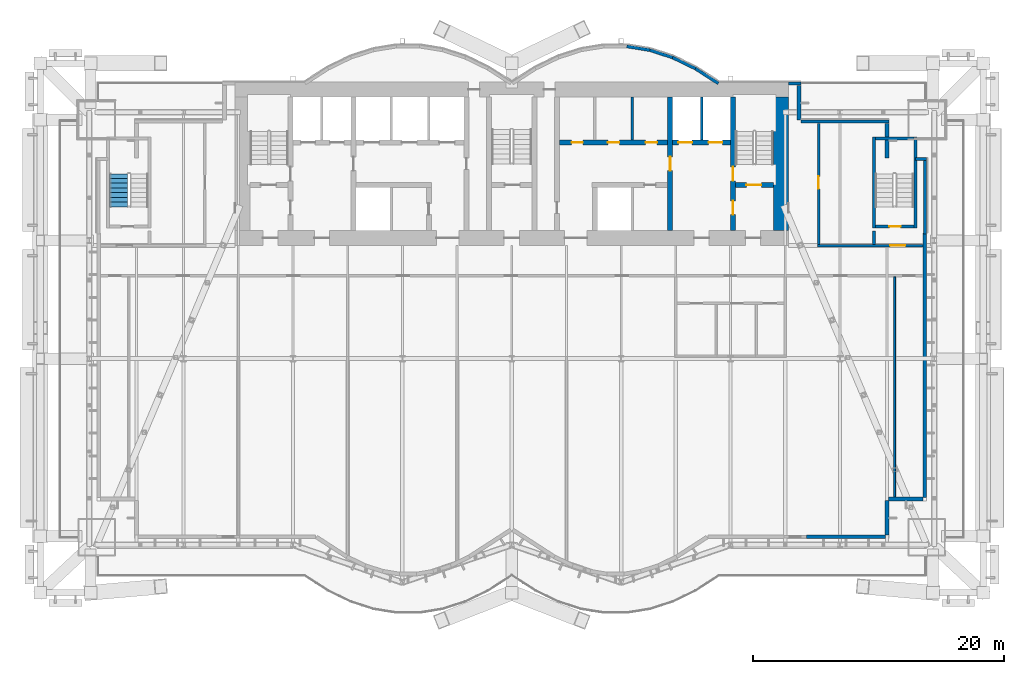
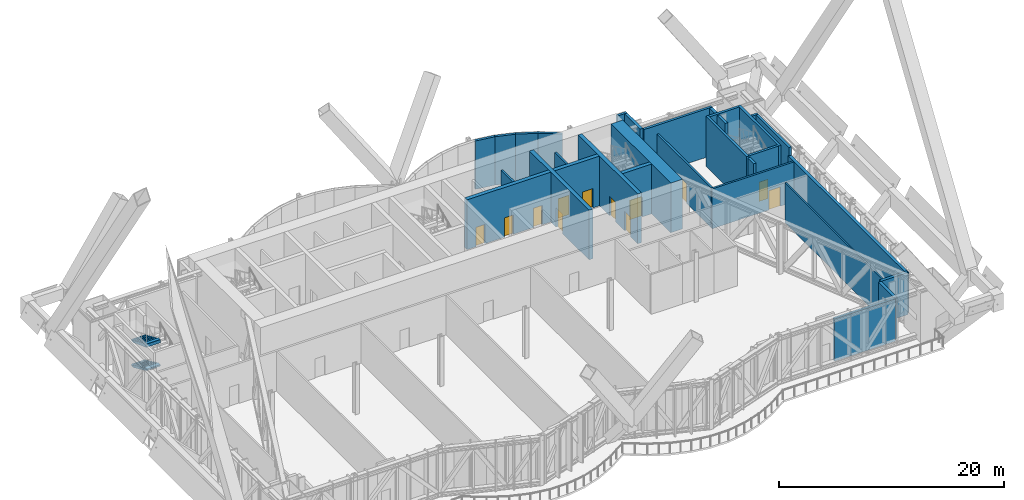
# One storey, part 28 of 32: 29 walls, 12 doors, 2 stair flights, 12 openings, 1 element without a shape of its own.
"""IFC4 building model written with IfcOpenShell, lengths in metres."""

import ifcopenshell
import ifcopenshell.guid

model = None  # the IFC model being written
_history = None  # IfcOwnerHistory: only IFC2X3 demands one
_inside = {}  # id of a spatial element -> (the spatial element, [elements in it])
_under = {}  # id of a project, library or spatial element -> (it, [spatial elements below it])
_declared = {}  # id of a project -> (the project, [libraries it declares])
_typed = {}  # id of a type object -> (the type object, [elements of that type])
_made_of = {}  # id of a material, layer set ... -> (it, [elements and type objects made of it])


def new_model(schema):
    """Start an empty IFC model of exactly this schema.

    Asked for "IFC4X3", IfcOpenShell would pick the latest addendum, in which some entities
    have other attributes; the version numbers below select the first issue.
    IFC2X3 requires an IfcOwnerHistory on every rooted entity: one is made here for all.
    """
    global model, _history
    if schema == "IFC4X3":
        model = ifcopenshell.file(schema_version=(4, 3, 0, 0))
    else:
        model = ifcopenshell.file(schema=schema)
    _inside.clear()
    _under.clear()
    _declared.clear()
    _typed.clear()
    _made_of.clear()
    _history = None
    if model.schema == "IFC2X3":
        org = make("IfcOrganization", Name="unknown")
        user = make(
            "IfcPersonAndOrganization",
            ThePerson=make("IfcPerson", FamilyName="unknown"),
            TheOrganization=org,
        )
        app = make(
            "IfcApplication",
            ApplicationDeveloper=org,
            Version="unknown",
            ApplicationFullName="unknown",
            ApplicationIdentifier="unknown",
        )
        _history = make(
            "IfcOwnerHistory",
            OwningUser=user,
            OwningApplication=app,
            ChangeAction="ADDED",
            CreationDate=0,
        )
    return model


def make(cls, **values):
    """One entity of the class cls with the attributes given. An attribute that is None is left unset."""
    return model.create_entity(
        cls, **{name: value for name, value in values.items() if value is not None}
    )


def rooted(cls, **values):
    """An entity with a GlobalId (a new one), such as an element, a storey or a relation."""
    return make(cls, GlobalId=ifcopenshell.guid.new(), OwnerHistory=_history, **values)


def si_unit(unit_type, name, prefix=None):
    """IfcSIUnit, for example si_unit("LENGTHUNIT", "METRE", prefix="MILLI")."""
    return make("IfcSIUnit", UnitType=unit_type, Prefix=prefix, Name=name)


def assignment(units):
    """IfcUnitAssignment: the units of a project."""
    return None if units is None else make("IfcUnitAssignment", Units=units)


def point(xyz):
    """IfcCartesianPoint."""
    return None if xyz is None else make("IfcCartesianPoint", Coordinates=xyz)


def direction(xyz):
    """IfcDirection."""
    return None if xyz is None else make("IfcDirection", DirectionRatios=xyz)


def frame(location, z_axis=None, x_axis=None):
    """IfcAxis2Placement3D, a coordinate frame: its origin and axes. An axis left out is left unset."""
    return make(
        "IfcAxis2Placement3D",
        Location=point(location),
        Axis=direction(z_axis),
        RefDirection=direction(x_axis),
    )


def frame_2d(location, x_axis=None):
    """IfcAxis2Placement2D, a coordinate frame in the plane: its origin and x axis."""
    return make(
        "IfcAxis2Placement2D", Location=point(location), RefDirection=direction(x_axis)
    )


def origin():
    """The frame at (0, 0, 0) with its axes left unset."""
    return frame((0.0, 0.0, 0.0))


def place(relative_to, where):
    """IfcLocalPlacement: puts the frame where relative to a parent placement (None: the world)."""
    return make(
        "IfcLocalPlacement", PlacementRelTo=relative_to, RelativePlacement=where
    )


def context(
    kind, dimensions, precision=None, world=None, true_north=None, identifier=None
):
    """IfcGeometricRepresentationContext, for example the 3D "Model" context."""
    return make(
        "IfcGeometricRepresentationContext",
        ContextIdentifier=identifier,
        ContextType=kind,
        CoordinateSpaceDimension=dimensions,
        Precision=precision,
        WorldCoordinateSystem=world,
        TrueNorth=true_north,
    )


def subcontext(parent, identifier, kind, view, scale=None):
    """IfcGeometricRepresentationSubContext, for example "Body" below "Model"."""
    return make(
        "IfcGeometricRepresentationSubContext",
        ContextIdentifier=identifier,
        ContextType=kind,
        ParentContext=parent,
        TargetScale=scale,
        TargetView=view,
    )


def project(units=None, contexts=None):
    """IfcProject with its units and contexts."""
    return rooted(
        "IfcProject",
        Name="project",
        RepresentationContexts=contexts,
        UnitsInContext=assignment(units),
    )


def spatial(cls, under=None, at=None, **own):
    """A site, building, storey or space (cls), placed at a placement, below another one or the project."""
    s = rooted(cls, ObjectPlacement=at, **own)
    if under is not None:
        _under.setdefault(under.id(), (under, []))[1].append(s)
    return s


def polyline(points):
    """IfcPolyline through the points."""
    return make("IfcPolyline", Points=[point(p) for p in points])


def profile(cls, at=None, kind="AREA", **sizes):
    """A parametric profile (cls). Its sizes go by their IFC names, for example OverallWidth=200.0."""
    return make(cls, ProfileType=kind, Position=at, **sizes)


def rectangle(**sizes):
    """IfcRectangleProfileDef."""
    return profile("IfcRectangleProfileDef", **sizes)


def outline(outer, holes=None, kind="AREA"):
    """IfcArbitraryClosedProfileDef: a profile drawn as a closed curve; with holes, ...WithVoids."""
    if holes is None:
        return make("IfcArbitraryClosedProfileDef", ProfileType=kind, OuterCurve=outer)
    return make(
        "IfcArbitraryProfileDefWithVoids",
        ProfileType=kind,
        OuterCurve=outer,
        InnerCurves=holes,
    )


def extrude(swept, where, along, depth):
    """IfcExtrudedAreaSolid: the profile swept, set in the frame where, extruded along a direction by depth."""
    return make(
        "IfcExtrudedAreaSolid",
        SweptArea=swept,
        Position=where,
        ExtrudedDirection=direction(along),
        Depth=depth,
    )


def shape(context_of_items, identifier, shape_type, items):
    """IfcShapeRepresentation: the items that make up one representation, for example the "Body"."""
    return make(
        "IfcShapeRepresentation",
        ContextOfItems=context_of_items,
        RepresentationIdentifier=identifier,
        RepresentationType=shape_type,
        Items=items,
    )


def material(Name=None, Category=None):
    """IfcMaterial."""
    return make("IfcMaterial", Name=Name, Category=Category)


def layer(
    of_material, thickness, ventilated=None, Name=None, Category=None, Priority=None
):
    """IfcMaterialLayer: one layer of a wall or slab, of a material (None: an air gap)."""
    return make(
        "IfcMaterialLayer",
        Material=of_material,
        LayerThickness=thickness,
        IsVentilated=ventilated,
        Name=Name,
        Category=Category,
        Priority=Priority,
    )


def layer_set(layers, Name=None):
    """IfcMaterialLayerSet."""
    return make("IfcMaterialLayerSet", MaterialLayers=layers, LayerSetName=Name)


def layer_usage(for_layer_set, set_direction, sense, offset, extent=None):
    """IfcMaterialLayerSetUsage: how a layer set lies in its element."""
    return make(
        "IfcMaterialLayerSetUsage",
        ForLayerSet=for_layer_set,
        LayerSetDirection=set_direction,
        DirectionSense=sense,
        OffsetFromReferenceLine=offset,
        ReferenceExtent=extent,
    )


def made_of(thing, what):
    """Note that an element or type object is made of a material, layer set ...; save() writes the relation."""
    if what is not None:
        _made_of.setdefault(what.id(), (what, []))[1].append(thing)
    return thing


def type_object(cls, material=None, **own):
    """A type object (cls), such as IfcWallType, which elements share."""
    return made_of(rooted(cls, **own), material)


def element(
    cls,
    number,
    at=None,
    inside=None,
    cuts=None,
    type_object=None,
    material=None,
    context=None,
    identifier="Body",
    shape_type=None,
    held_by="IfcProductDefinitionShape",
    body=None,
    shapes=None,
    **own,
):
    """One element of the class cls, such as IfcWall. Its Tag is "e" and its number.

    at: its placement. inside: the storey or other place that contains it. cuts: it is an
    opening in that element (IfcRelVoidsElement). A single representation is given by context,
    identifier, shape_type and body (its items); several are given by shapes. held_by: the class
    of the entity that holds the representations. save() writes the other relations.
    """
    e = rooted(cls, Tag="e%d" % number, ObjectPlacement=at, **own)
    if body is not None:
        shapes = [shape(context, identifier, shape_type, body)]
    if shapes is not None:
        e.Representation = make(held_by, Representations=shapes)
    if inside is not None:
        _inside.setdefault(inside.id(), (inside, []))[1].append(e)
    if cuts is not None:
        rooted(
            "IfcRelVoidsElement", RelatingBuildingElement=cuts, RelatedOpeningElement=e
        )
    if type_object is not None:
        _typed.setdefault(type_object.id(), (type_object, []))[1].append(e)
    return made_of(e, material)


def fill(opening, filler):
    """IfcRelFillsElement: the door or window that sits in an opening."""
    return rooted(
        "IfcRelFillsElement",
        RelatingOpeningElement=opening,
        RelatedBuildingElement=filler,
    )


def aggregate(whole, parts):
    """IfcRelAggregates: a whole, such as a stair, and the parts it consists of."""
    return rooted("IfcRelAggregates", RelatingObject=whole, RelatedObjects=parts)


def save(model, path):
    """Write the relations noted so far, then the file.

    IfcRelAggregates (storeys below a building ...), IfcRelContainedInSpatialStructure (elements
    in a storey), IfcRelDefinesByType, IfcRelAssociatesMaterial and IfcRelDeclares: one each for
    every whole, place, type object, material and project.
    """
    for whole, parts in _under.values():
        aggregate(whole, parts)
    for where, things in _inside.values():
        rooted(
            "IfcRelContainedInSpatialStructure",
            RelatedElements=things,
            RelatingStructure=where,
        )
    for kind, things in _typed.values():
        rooted("IfcRelDefinesByType", RelatedObjects=things, RelatingType=kind)
    for what, things in _made_of.values():
        rooted("IfcRelAssociatesMaterial", RelatedObjects=things, RelatingMaterial=what)
    for by, libraries in _declared.values():
        rooted("IfcRelDeclares", RelatingContext=by, RelatedDefinitions=libraries)
    model.write(path)


model = new_model("IFC4")

# Units and contexts
model_context = context("Model", 3, precision=1e-05, world=origin(), true_north=direction((0.0, 1.0)))
body_context = subcontext(model_context, "Body", "Model", "MODEL_VIEW")
ifc_project = project(units=[si_unit("LENGTHUNIT", "METRE"), si_unit("AREAUNIT", "SQUARE_METRE"), si_unit("VOLUMEUNIT", "CUBIC_METRE"), si_unit("PLANEANGLEUNIT", "RADIAN"), si_unit("MASSUNIT", "GRAM", prefix="KILO")], contexts=[model_context])

# Site, building, storey
site_placement = place(None, origin())
site = spatial("IfcSite", under=ifc_project, at=site_placement, CompositionType="ELEMENT")
building_placement = place(site_placement, origin())
building = spatial("IfcBuilding", under=site, at=building_placement, Name="Bicima Exchange Tower", CompositionType="ELEMENT")
storey_placement = place(building_placement, frame((0.0, 0.0, 84.5)))
storey = spatial("IfcBuildingStorey", under=building, at=storey_placement, Name="L17", CompositionType="ELEMENT", Elevation=84.5)

# Wall
ifc_material_1 = material(Name="Gypsum board partition")
ifc_layer_1 = layer(ifc_material_1, 0.199951171875)
ifc_layer_set_1 = layer_set([ifc_layer_1], Name="Gypsum board partition")
wall_type_1 = type_object("IfcWallType", Name="Fire-rated gypsum partition 200 EI120", PredefinedType="PARTITIONING", material=ifc_layer_set_1)
wall_1_placement = place(storey_placement, frame((15.10009765625, -4.60009765625, 0.0), z_axis=(0.0, 0.0, 1.0), x_axis=(0.0, 1.0, 0.0)))
element("IfcWall", 1, at=wall_1_placement, inside=storey, type_object=wall_type_1, Name="partition wall 24", PredefinedType="PARTITIONING", context=body_context, shape_type="SweptSolid", body=[
    extrude(rectangle(XDim=3.400146484375, YDim=0.199951171875, at=frame_2d((1.7001953125, 0.0))), origin(), (0.0, 0.0, 1.0), 4.318115234375),
])

# Wall, opening, door
ifc_layer_2 = layer(ifc_material_1, 0.199951171875)
ifc_layer_set_2 = layer_set([ifc_layer_2], Name="Gypsum board partition")
wall_type_2 = type_object("IfcWallType", Name="Fire-rated gypsum partition 200 EI60", PredefinedType="PARTITIONING", material=ifc_layer_set_2)
wall_2_placement = place(storey_placement, frame((24.300048828125, -13.0, 0.0), z_axis=(0.0, 0.0, 1.0), x_axis=(1.0, 0.0, 0.0)))
wall_2 = element("IfcWall", 2, at=wall_2_placement, inside=storey, type_object=wall_type_2, Name="partition wall 7", PredefinedType="PARTITIONING", context=body_context, shape_type="SweptSolid", body=[
    extrude(rectangle(XDim=8.39990234375, YDim=0.199951171875, at=frame_2d((4.199951171875, 0.0))), origin(), (0.0, 0.0, 1.0), 4.318115234375),
])
opening_1_placement = place(wall_2_placement, frame((5.800048828125, 0.0, 0.0)))
opening_1 = element("IfcOpeningElement", 3, at=opening_1_placement, cuts=wall_2, Name="Opening L17-003", PredefinedType="OPENING", context=body_context, shape_type="SweptSolid", body=[
    extrude(rectangle(XDim=1.199951171875, YDim=2.10009765625, at=frame_2d((0.60009765625, 1.050048828125))), frame((0.0, 0.11181640625, 0.0), z_axis=(0.0, -1.0, 0.0), x_axis=(1.0, 0.0, 0.0)), (0.0, 0.0, 1.0), 0.223876953125),
])
ifc_material_2 = material(Name="Steel fire door leaf", Category="steel")
door_type_1 = type_object("IfcDoorType", Name="Door 1200 swing FD30S", OperationType="SINGLE_SWING_LEFT", PredefinedType="DOOR", material=ifc_material_2)
door_1_placement = place(opening_1_placement, origin())
door_1 = element("IfcDoor", 4, at=door_1_placement, inside=storey, type_object=door_type_1, Name="Door", OperationType="SINGLE_SWING_RIGHT", OverallHeight=2.10009765625, OverallWidth=1.199951171875, PredefinedType="DOOR", context=body_context, shape_type="SweptSolid", body=[
    extrude(rectangle(XDim=1.199951171875, YDim=2.10009765625, at=frame_2d((0.60009765625, 1.050048828125))), frame((0.0, 0.02490234375, 0.0), z_axis=(0.0, -1.0, 0.0), x_axis=(1.0, 0.0, 0.0)), (0.0, 0.0, 1.0), 0.050048828125),
])
fill(opening_1, door_1)

wall_3_placement = place(storey_placement, frame((24.39990234375, -12.89990234375, 0.0), z_axis=(0.0, 0.0, 1.0), x_axis=(0.0, 1.0, 0.0)))
wall_3 = element("IfcWall", 5, at=wall_3_placement, inside=storey, type_object=wall_type_2, Name="partition wall 24", PredefinedType="PARTITIONING", context=body_context, shape_type="SweptSolid", body=[
    extrude(rectangle(XDim=9.599853515625, YDim=0.199951171875, at=frame_2d((4.7998046875, 0.0))), origin(), (0.0, 0.0, 1.0), 4.318115234375),
])
opening_2_placement = place(wall_3_placement, frame((4.39990234375, 0.0, 0.0)))
opening_2 = element("IfcOpeningElement", 6, at=opening_2_placement, cuts=wall_3, Name="Opening L17-006", PredefinedType="OPENING", context=body_context, shape_type="SweptSolid", body=[
    extrude(rectangle(XDim=1.0, YDim=2.10009765625, at=frame_2d((0.5, 1.050048828125))), frame((0.0, 0.11181640625, 0.0), z_axis=(0.0, -1.0, 0.0), x_axis=(1.0, 0.0, 0.0)), (0.0, 0.0, 1.0), 0.223876953125),
])
door_type_2 = type_object("IfcDoorType", Name="Door 1000 swing FD30S", OperationType="SINGLE_SWING_LEFT", PredefinedType="DOOR", material=ifc_material_2)
door_2_placement = place(opening_2_placement, frame((1.0, 0.0, 0.0), z_axis=(0.0, 0.0, 1.0), x_axis=(-1.0, 0.0, 0.0)))
door_2 = element("IfcDoor", 7, at=door_2_placement, inside=storey, type_object=door_type_2, Name="Door", OperationType="SINGLE_SWING_RIGHT", OverallHeight=2.10009765625, OverallWidth=1.0, PredefinedType="DOOR", context=body_context, shape_type="SweptSolid", body=[
    extrude(rectangle(XDim=1.0, YDim=2.10009765625, at=frame_2d((0.5, 1.050048828125))), frame((0.0, 0.02490234375, 0.0), z_axis=(0.0, -1.0, 0.0), x_axis=(1.0, 0.0, 0.0)), (0.0, 0.0, 1.0), 0.050048828125),
])
fill(opening_2, door_2)

# Walls
wall_4_placement = place(storey_placement, frame((9.60009765625, -4.60009765625, 0.0), z_axis=(0.0, 0.0, 1.0), x_axis=(0.0, 1.0, 0.0)))
element("IfcWall", 8, at=wall_4_placement, inside=storey, type_object=wall_type_2, Name="partition wall 22", PredefinedType="PARTITIONING", context=body_context, shape_type="SweptSolid", body=[
    extrude(rectangle(XDim=3.400146484375, YDim=0.199951171875, at=frame_2d((1.7001953125, 0.0))), origin(), (0.0, 0.0, 1.0), 4.318115234375),
])
ifc_layer_3 = layer(ifc_material_1, 0.14990234375)
ifc_layer_set_3 = layer_set([ifc_layer_3], Name="Gypsum board partition")
wall_type_3 = type_object("IfcWallType", Name="Gypsum partition 150", PredefinedType="PARTITIONING", material=ifc_layer_set_3)
wall_5_placement = place(storey_placement, frame((30.449951171875, -33.02001953125, 0.0), z_axis=(0.0, 0.0, 1.0), x_axis=(0.0, 1.0, 0.0)))
element("IfcWall", 9, at=wall_5_placement, inside=storey, type_object=wall_type_3, Name="partition wall 26", PredefinedType="PARTITIONING", context=body_context, shape_type="SweptSolid", body=[
    extrude(rectangle(XDim=17.52001953125, YDim=0.14990234375, at=frame_2d((8.760009765625, 0.0))), origin(), (0.0, 0.0, 1.0), 4.318115234375),
])
ifc_material_3 = material(Name="Concrete C60/75", Category="concrete")
ifc_layer_4 = layer(ifc_material_3, 1.199951171875)
ifc_layer_set_4 = layer_set([ifc_layer_4], Name="Concrete C60/75")
wall_type_4 = type_object("IfcWallType", Name="RC core wall 1200 C60/75", PredefinedType="SHEAR", material=ifc_layer_set_4)
wall_6_placement = place(storey_placement, frame((21.39990234375, -11.800048828125, 0.0), z_axis=(0.0, 0.0, 1.0), x_axis=(0.0, 1.0, 0.0)))
element("IfcWall", 10, at=wall_6_placement, inside=storey, type_object=wall_type_4, Name="Core wall east", PredefinedType="SHEAR", context=body_context, shape_type="SweptSolid", body=[
    extrude(rectangle(XDim=10.60009765625, YDim=1.199951171875, at=frame_2d((5.300048828125, 0.0))), origin(), (0.0, 0.0, 1.0), 5.39990234375),
])
ifc_material_4 = material(Name="Concrete C50/60", Category="concrete")
ifc_layer_5 = layer(ifc_material_4, 0.25)
ifc_layer_set_5 = layer_set([ifc_layer_5], Name="Concrete C50/60")
wall_type_5 = type_object("IfcWallType", Name="RC core wall 250 C50/60", PredefinedType="SHEAR", material=ifc_layer_set_5)
wall_7_placement = place(storey_placement, frame((28.800048828125, -12.89990234375, 0.0), z_axis=(0.0, 0.0, 1.0), x_axis=(0.0, 1.0, 0.0)))
element("IfcWall", 11, at=wall_7_placement, inside=storey, type_object=wall_type_5, Name="stair wall 25", PredefinedType="SHEAR", context=body_context, shape_type="SweptSolid", body=[
    extrude(rectangle(XDim=1.0498046875, YDim=0.25, at=frame_2d((0.52490234375, 0.0))), origin(), (0.0, 0.0, 1.0), 5.39990234375),
])

# Wall, opening, door
ifc_layer_6 = layer(ifc_material_4, 0.39990234375)
ifc_layer_set_6 = layer_set([ifc_layer_6], Name="Concrete C50/60")
wall_type_6 = type_object("IfcWallType", Name="RC core wall 400 C50/60", PredefinedType="SHEAR", material=ifc_layer_set_6)
wall_8_placement = place(storey_placement, frame((17.800048828125, -8.199951171875, 0.0), z_axis=(0.0, 0.0, 1.0), x_axis=(1.0, 0.0, 0.0)))
wall_8 = element("IfcWall", 12, at=wall_8_placement, inside=storey, type_object=wall_type_6, Name="stair wall 5", PredefinedType="SHEAR", context=body_context, shape_type="SweptSolid", body=[
    extrude(rectangle(XDim=3.0, YDim=0.39990234375, at=frame_2d((1.5, 0.0))), origin(), (0.0, 0.0, 1.0), 5.39990234375),
])
opening_3_placement = place(wall_8_placement, frame((0.85009765625, 0.0, 0.0)))
opening_3 = element("IfcOpeningElement", 13, at=opening_3_placement, cuts=wall_8, Name="Opening L17-C04", PredefinedType="OPENING", context=body_context, shape_type="SweptSolid", body=[
    extrude(rectangle(XDim=1.199951171875, YDim=2.10009765625, at=frame_2d((0.60009765625, 1.050048828125))), frame((0.0, 0.2119140625, 0.0), z_axis=(0.0, -1.0, 0.0), x_axis=(1.0, 0.0, 0.0)), (0.0, 0.0, 1.0), 0.423828125),
])
door_type_3 = type_object("IfcDoorType", Name="Door 1200 swing FD60S", OperationType="SINGLE_SWING_LEFT", PredefinedType="DOOR", material=ifc_material_2)
door_3_placement = place(opening_3_placement, origin())
door_3 = element("IfcDoor", 14, at=door_3_placement, inside=storey, type_object=door_type_3, Name="Core door", OperationType="SINGLE_SWING_RIGHT", OverallHeight=2.10009765625, OverallWidth=1.199951171875, PredefinedType="DOOR", context=body_context, shape_type="SweptSolid", body=[
    extrude(rectangle(XDim=1.199951171875, YDim=2.10009765625, at=frame_2d((0.60009765625, 1.050048828125))), frame((0.0, 0.02490234375, 0.0), z_axis=(0.0, -1.0, 0.0), x_axis=(1.0, 0.0, 0.0)), (0.0, 0.0, 1.0), 0.050048828125),
])
fill(opening_3, door_3)

# Wall, openings, doors
wall_9_placement = place(storey_placement, frame((17.60009765625, -11.800048828125, 0.0), z_axis=(0.0, 0.0, 1.0), x_axis=(0.0, 1.0, 0.0)))
wall_9 = element("IfcWall", 15, at=wall_9_placement, inside=storey, type_object=wall_type_6, Name="stair wall 25", PredefinedType="SHEAR", context=body_context, shape_type="SweptSolid", body=[
    extrude(rectangle(XDim=10.60009765625, YDim=0.39990234375, at=frame_2d((5.300048828125, 0.0))), origin(), (0.0, 0.0, 1.0), 5.39990234375),
])
opening_4_placement = place(wall_9_placement, frame((1.25, 0.0, 0.0)))
opening_4 = element("IfcOpeningElement", 16, at=opening_4_placement, cuts=wall_9, Name="Opening L17-C05", PredefinedType="OPENING", context=body_context, shape_type="SweptSolid", body=[
    extrude(rectangle(XDim=1.10009765625, YDim=2.10009765625, at=frame_2d((0.550048828125, 1.050048828125))), frame((0.0, 0.2119140625, 0.0), z_axis=(0.0, -1.0, 0.0), x_axis=(1.0, 0.0, 0.0)), (0.0, 0.0, 1.0), 0.423828125),
])
opening_5_placement = place(wall_9_placement, frame((3.949951171875, 0.0, 0.0)))
opening_5 = element("IfcOpeningElement", 17, at=opening_5_placement, cuts=wall_9, Name="Opening L17-C08", PredefinedType="OPENING", context=body_context, shape_type="SweptSolid", body=[
    extrude(rectangle(XDim=1.10009765625, YDim=2.10009765625, at=frame_2d((0.550048828125, 1.050048828125))), frame((0.0, 0.2119140625, 0.0), z_axis=(0.0, -1.0, 0.0), x_axis=(1.0, 0.0, 0.0)), (0.0, 0.0, 1.0), 0.423828125),
])
door_type_4 = type_object("IfcDoorType", Name="Door 1100 swing FD60S", OperationType="SINGLE_SWING_LEFT", PredefinedType="DOOR", material=ifc_material_2)
door_4_placement = place(opening_4_placement, origin())
door_4 = element("IfcDoor", 18, at=door_4_placement, inside=storey, type_object=door_type_4, Name="Core door", OperationType="SINGLE_SWING_LEFT", OverallHeight=2.10009765625, OverallWidth=1.10009765625, PredefinedType="DOOR", context=body_context, shape_type="SweptSolid", body=[
    extrude(rectangle(XDim=1.10009765625, YDim=2.10009765625, at=frame_2d((0.550048828125, 1.050048828125))), frame((0.0, 0.02490234375, 0.0), z_axis=(0.0, -1.0, 0.0), x_axis=(1.0, 0.0, 0.0)), (0.0, 0.0, 1.0), 0.050048828125),
])
fill(opening_4, door_4)
door_5_placement = place(opening_5_placement, origin())
door_5 = element("IfcDoor", 19, at=door_5_placement, inside=storey, type_object=door_type_4, Name="Core door", OperationType="SINGLE_SWING_RIGHT", OverallHeight=2.10009765625, OverallWidth=1.10009765625, PredefinedType="DOOR", context=body_context, shape_type="SweptSolid", body=[
    extrude(rectangle(XDim=1.10009765625, YDim=2.10009765625, at=frame_2d((0.550048828125, 1.050048828125))), frame((0.0, 0.02490234375, 0.0), z_axis=(0.0, -1.0, 0.0), x_axis=(1.0, 0.0, 0.0)), (0.0, 0.0, 1.0), 0.050048828125),
])
fill(opening_5, door_5)

ifc_layer_7 = layer(ifc_material_3, 0.39990234375)
ifc_layer_set_7 = layer_set([ifc_layer_7], Name="Concrete C60/75")
wall_type_7 = type_object("IfcWallType", Name="RC core wall 400 C60/75", PredefinedType="SHEAR", material=ifc_layer_set_7)
wall_10_placement = place(storey_placement, frame((3.800048828125, -4.800048828125, 0.0), z_axis=(0.0, 0.0, 1.0), x_axis=(1.0, 0.0, 0.0)))
wall_10 = element("IfcWall", 20, at=wall_10_placement, inside=storey, type_object=wall_type_7, Name="shear wall 7", PredefinedType="SHEAR", context=body_context, shape_type="SweptSolid", body=[
    extrude(rectangle(XDim=13.599853515625, YDim=0.39990234375, at=frame_2d((6.7998046875, 0.0))), origin(), (0.0, 0.0, 1.0), 5.39990234375),
])
opening_6_placement = place(wall_10_placement, frame((9.449951171875, 0.0, 0.0)))
opening_6 = element("IfcOpeningElement", 21, at=opening_6_placement, cuts=wall_10, Name="Opening LD-FF2-L17", PredefinedType="OPENING", context=body_context, shape_type="SweptSolid", body=[
    extrude(rectangle(XDim=1.10009765625, YDim=2.10009765625, at=frame_2d((0.550048828125, 1.050048828125))), frame((0.0, 0.2119140625, 0.0), z_axis=(0.0, -1.0, 0.0), x_axis=(1.0, 0.0, 0.0)), (0.0, 0.0, 1.0), 0.423828125),
])
opening_7_placement = place(wall_10_placement, frame((11.85009765625, 0.0, 0.0)))
opening_7 = element("IfcOpeningElement", 22, at=opening_7_placement, cuts=wall_10, Name="Opening LD-SV1-L17", PredefinedType="OPENING", context=body_context, shape_type="SweptSolid", body=[
    extrude(rectangle(XDim=1.10009765625, YDim=2.10009765625, at=frame_2d((0.550048828125, 1.050048828125))), frame((0.0, 0.2119140625, 0.0), z_axis=(0.0, -1.0, 0.0), x_axis=(1.0, 0.0, 0.0)), (0.0, 0.0, 1.0), 0.423828125),
])
opening_8_placement = place(wall_10_placement, frame((0.949951171875, 0.0, 0.0)))
opening_8 = element("IfcOpeningElement", 23, at=opening_8_placement, cuts=wall_10, Name="Opening L17-C12", PredefinedType="OPENING", context=body_context, shape_type="SweptSolid", body=[
    extrude(rectangle(XDim=0.89990234375, YDim=2.10009765625, at=frame_2d((0.449951171875, 1.050048828125))), frame((0.0, 0.2119140625, 0.0), z_axis=(0.0, -1.0, 0.0), x_axis=(1.0, 0.0, 0.0)), (0.0, 0.0, 1.0), 0.423828125),
])
opening_9_placement = place(wall_10_placement, frame((3.85009765625, 0.0, 0.0)))
opening_9 = element("IfcOpeningElement", 24, at=opening_9_placement, cuts=wall_10, Name="Opening L17-C13", PredefinedType="OPENING", context=body_context, shape_type="SweptSolid", body=[
    extrude(rectangle(XDim=0.89990234375, YDim=2.10009765625, at=frame_2d((0.449951171875, 1.050048828125))), frame((0.0, 0.2119140625, 0.0), z_axis=(0.0, -1.0, 0.0), x_axis=(1.0, 0.0, 0.0)), (0.0, 0.0, 1.0), 0.423828125),
])
opening_10_placement = place(wall_10_placement, frame((6.85009765625, 0.0, 0.0)))
opening_10 = element("IfcOpeningElement", 25, at=opening_10_placement, cuts=wall_10, Name="Opening L17-C14", PredefinedType="OPENING", context=body_context, shape_type="SweptSolid", body=[
    extrude(rectangle(XDim=0.89990234375, YDim=2.10009765625, at=frame_2d((0.449951171875, 1.050048828125))), frame((0.0, 0.2119140625, 0.0), z_axis=(0.0, -1.0, 0.0), x_axis=(1.0, 0.0, 0.0)), (0.0, 0.0, 1.0), 0.423828125),
])
door_type_5 = type_object("IfcDoorType", Name="Door 900 swing FD30S", OperationType="SINGLE_SWING_LEFT", PredefinedType="DOOR", material=ifc_material_2)
door_6_placement = place(opening_8_placement, origin())
door_6 = element("IfcDoor", 26, at=door_6_placement, inside=storey, type_object=door_type_5, Name="Core door", OperationType="SINGLE_SWING_RIGHT", OverallHeight=2.10009765625, OverallWidth=0.89990234375, PredefinedType="DOOR", context=body_context, shape_type="SweptSolid", body=[
    extrude(rectangle(XDim=0.89990234375, YDim=2.10009765625, at=frame_2d((0.449951171875, 1.050048828125))), frame((0.0, 0.02490234375, 0.0), z_axis=(0.0, -1.0, 0.0), x_axis=(1.0, 0.0, 0.0)), (0.0, 0.0, 1.0), 0.050048828125),
])
fill(opening_8, door_6)
door_7_placement = place(opening_9_placement, origin())
door_7 = element("IfcDoor", 27, at=door_7_placement, inside=storey, type_object=door_type_5, Name="Core door", OperationType="SINGLE_SWING_LEFT", OverallHeight=2.10009765625, OverallWidth=0.89990234375, PredefinedType="DOOR", context=body_context, shape_type="SweptSolid", body=[
    extrude(rectangle(XDim=0.89990234375, YDim=2.10009765625, at=frame_2d((0.449951171875, 1.050048828125))), frame((0.0, 0.02490234375, 0.0), z_axis=(0.0, -1.0, 0.0), x_axis=(1.0, 0.0, 0.0)), (0.0, 0.0, 1.0), 0.050048828125),
])
fill(opening_9, door_7)
door_8_placement = place(opening_10_placement, origin())
door_8 = element("IfcDoor", 28, at=door_8_placement, inside=storey, type_object=door_type_5, Name="Core door", OperationType="SINGLE_SWING_RIGHT", OverallHeight=2.10009765625, OverallWidth=0.89990234375, PredefinedType="DOOR", context=body_context, shape_type="SweptSolid", body=[
    extrude(rectangle(XDim=0.89990234375, YDim=2.10009765625, at=frame_2d((0.449951171875, 1.050048828125))), frame((0.0, 0.02490234375, 0.0), z_axis=(0.0, -1.0, 0.0), x_axis=(1.0, 0.0, 0.0)), (0.0, 0.0, 1.0), 0.050048828125),
])
fill(opening_10, door_8)
ifc_material_5 = material(Name="Stainless steel", Category="steel")
door_type_6 = type_object("IfcDoorType", Name="Lift landing door 1100 sliding", OperationType="DOUBLE_DOOR_SLIDING", PredefinedType="DOOR", material=ifc_material_5)
door_9_placement = place(opening_6_placement, origin())
door_9 = element("IfcDoor", 29, at=door_9_placement, inside=storey, type_object=door_type_6, Name="Lift landing door FF2", OperationType="DOUBLE_DOOR_SLIDING", OverallHeight=2.10009765625, OverallWidth=1.10009765625, PredefinedType="DOOR", context=body_context, shape_type="SweptSolid", body=[
    extrude(rectangle(XDim=1.10009765625, YDim=2.10009765625, at=frame_2d((0.550048828125, 1.050048828125))), frame((0.0, 0.02490234375, 0.0), z_axis=(0.0, -1.0, 0.0), x_axis=(1.0, 0.0, 0.0)), (0.0, 0.0, 1.0), 0.050048828125),
])
fill(opening_6, door_9)
door_10_placement = place(opening_7_placement, origin())
door_10 = element("IfcDoor", 30, at=door_10_placement, inside=storey, type_object=door_type_6, Name="Lift landing door SV1", OperationType="DOUBLE_DOOR_SLIDING", OverallHeight=2.10009765625, OverallWidth=1.10009765625, PredefinedType="DOOR", context=body_context, shape_type="SweptSolid", body=[
    extrude(rectangle(XDim=1.10009765625, YDim=2.10009765625, at=frame_2d((0.550048828125, 1.050048828125))), frame((0.0, 0.02490234375, 0.0), z_axis=(0.0, -1.0, 0.0), x_axis=(1.0, 0.0, 0.0)), (0.0, 0.0, 1.0), 0.050048828125),
])
fill(opening_7, door_10)

# Wall, opening, door
wall_11_placement = place(storey_placement, frame((12.60009765625, -11.800048828125, 0.0), z_axis=(0.0, 0.0, 1.0), x_axis=(0.0, 1.0, 0.0)))
wall_11 = element("IfcWall", 31, at=wall_11_placement, inside=storey, type_object=wall_type_7, Name="shear wall 23", PredefinedType="SHEAR", context=body_context, shape_type="SweptSolid", body=[
    extrude(rectangle(XDim=10.60009765625, YDim=0.39990234375, at=frame_2d((5.300048828125, 0.0))), origin(), (0.0, 0.0, 1.0), 5.39990234375),
])
opening_11_placement = place(wall_11_placement, frame((4.75, 0.0, 0.0)))
opening_11 = element("IfcOpeningElement", 32, at=opening_11_placement, cuts=wall_11, Name="Opening L17-C09", PredefinedType="OPENING", context=body_context, shape_type="SweptSolid", body=[
    extrude(rectangle(XDim=1.10009765625, YDim=2.10009765625, at=frame_2d((0.550048828125, 1.050048828125))), frame((0.0, 0.2119140625, 0.0), z_axis=(0.0, -1.0, 0.0), x_axis=(1.0, 0.0, 0.0)), (0.0, 0.0, 1.0), 0.423828125),
])
door_11_placement = place(opening_11_placement, frame((1.10009765625, 0.0, 0.0), z_axis=(0.0, 0.0, 1.0), x_axis=(-1.0, 0.0, 0.0)))
door_11 = element("IfcDoor", 33, at=door_11_placement, inside=storey, type_object=door_type_4, Name="Core door", OperationType="SINGLE_SWING_RIGHT", OverallHeight=2.10009765625, OverallWidth=1.10009765625, PredefinedType="DOOR", context=body_context, shape_type="SweptSolid", body=[
    extrude(rectangle(XDim=1.10009765625, YDim=2.10009765625, at=frame_2d((0.550048828125, 1.050048828125))), frame((0.0, 0.02490234375, 0.0), z_axis=(0.0, -1.0, 0.0), x_axis=(1.0, 0.0, 0.0)), (0.0, 0.0, 1.0), 0.050048828125),
])
fill(opening_11, door_11)

# Walls
ifc_layer_8 = layer(ifc_material_4, 0.25)
ifc_layer_set_8 = layer_set([ifc_layer_8], Name="Concrete C50/60")
wall_type_8 = type_object("IfcWallType", Name="RC stair enclosure wall 250 C50/60", PredefinedType="SHEAR", material=ifc_layer_set_8)
for number, where, z_axis, x_axis, name in (
    (34, (28.800048828125, -11.625, 0.0), (0.0, 0.0, 1.0), (0.0, 1.0, 0.0), "East end exit stair wall W"),
    (35, (32.10009765625, -11.625, 0.0), (0.0, 0.0, 1.0), (0.0, 1.0, 0.0), "East end exit stair wall E"),
):
    element("IfcWall", number, at=place(storey_placement, frame(where, z_axis=z_axis, x_axis=x_axis)), inside=storey, type_object=wall_type_8, Name=name, PredefinedType="SHEAR", context=body_context, shape_type="SweptSolid", body=[
        extrude(rectangle(XDim=7.25, YDim=0.25, at=frame_2d((3.625, 0.0))), origin(), (0.0, 0.0, 1.0), 5.39990234375),
    ])

# Wall, opening, door
wall_12_placement = place(storey_placement, frame((28.925048828125, -11.5, 0.0), z_axis=(0.0, 0.0, 1.0), x_axis=(1.0, 0.0, 0.0)))
wall_12 = element("IfcWall", 36, at=wall_12_placement, inside=storey, type_object=wall_type_8, Name="East end exit stair wall S", PredefinedType="SHEAR", context=body_context, shape_type="SweptSolid", body=[
    extrude(rectangle(XDim=3.050048828125, YDim=0.25, at=frame_2d((1.52490234375, 0.0))), origin(), (0.0, 0.0, 1.0), 5.39990234375),
])
opening_12_placement = place(wall_12_placement, frame((1.10009765625, 0.0, 0.0)))
opening_12 = element("IfcOpeningElement", 37, at=opening_12_placement, cuts=wall_12, Name="Opening L17-004", PredefinedType="OPENING", context=body_context, shape_type="SweptSolid", body=[
    extrude(rectangle(XDim=0.89990234375, YDim=2.10009765625, at=frame_2d((0.449951171875, 1.050048828125))), frame((0.0, 0.136962890625, 0.0), z_axis=(0.0, -1.0, 0.0), x_axis=(1.0, 0.0, 0.0)), (0.0, 0.0, 1.0), 0.27392578125),
])
door_type_7 = type_object("IfcDoorType", Name="Door 900 swing FD60S", OperationType="SINGLE_SWING_LEFT", PredefinedType="DOOR", material=ifc_material_2)
door_12_placement = place(opening_12_placement, origin())
door_12 = element("IfcDoor", 38, at=door_12_placement, inside=storey, type_object=door_type_7, Name="Door", OperationType="SINGLE_SWING_LEFT", OverallHeight=2.10009765625, OverallWidth=0.89990234375, PredefinedType="DOOR", context=body_context, shape_type="SweptSolid", body=[
    extrude(rectangle(XDim=0.89990234375, YDim=2.10009765625, at=frame_2d((0.449951171875, 1.050048828125))), frame((0.0, 0.02490234375, 0.0), z_axis=(0.0, -1.0, 0.0), x_axis=(1.0, 0.0, 0.0)), (0.0, 0.0, 1.0), 0.050048828125),
])
fill(opening_12, door_12)

# Walls
wall_13_placement = place(storey_placement, frame((28.925048828125, -4.5, 0.0), z_axis=(0.0, 0.0, 1.0), x_axis=(1.0, 0.0, 0.0)))
element("IfcWall", 39, at=wall_13_placement, inside=storey, type_object=wall_type_8, Name="East end exit stair wall N", PredefinedType="SHEAR", context=body_context, shape_type="SweptSolid", body=[
    extrude(rectangle(XDim=3.050048828125, YDim=0.25, at=frame_2d((1.52490234375, 0.0))), origin(), (0.0, 0.0, 1.0), 5.39990234375),
])
ifc_material_6 = material(Name="Concrete C40/50", Category="concrete")
ifc_layer_9 = layer(ifc_material_6, 0.25)
ifc_layer_set_9 = layer_set([ifc_layer_9], Name="Concrete C40/50")
ifc_layer_usage_1 = layer_usage(ifc_layer_set_9, "AXIS2", "POSITIVE", -0.125)
wall_type_9 = type_object("IfcWallType", Name="Rear backup wall 250", PredefinedType="STANDARD", material=ifc_layer_set_9)
wall_14_placement = place(storey_placement, frame((32.875, -12.090087890625, 0.0), z_axis=(0.0, 0.0, 1.0), x_axis=(0.0, 1.0, 0.0)))
element("IfcWall", 40, at=wall_14_placement, inside=storey, type_object=wall_type_9, material=ifc_layer_usage_1, Name="Rear backup wall L17 2", PredefinedType="STANDARD", context=body_context, shape_type="SweptSolid", body=[
    extrude(rectangle(XDim=6.090087890625, YDim=0.25, at=frame_2d((3.044921875, 0.0))), origin(), (0.0, 0.0, 1.0), 5.25),
])
wall_15_placement = place(storey_placement, frame((33.0, -6.125, 0.0), z_axis=(0.0, 0.0, 1.0), x_axis=(-1.0, 0.0, 0.0)))
element("IfcWall", 41, at=wall_15_placement, inside=storey, type_object=wall_type_9, material=ifc_layer_usage_1, Name="Rear backup wall L17 3", PredefinedType="STANDARD", context=body_context, shape_type="SweptSolid", body=[
    extrude(rectangle(XDim=0.889892578125, YDim=0.25, at=frame_2d((0.44482421875, 0.0))), origin(), (0.0, 0.0, 1.0), 5.25),
])
wall_16_placement = place(storey_placement, frame((30.0, -3.125, 0.0), z_axis=(0.0, 0.0, 1.0), x_axis=(-1.0, 0.0, 0.0)))
element("IfcWall", 42, at=wall_16_placement, inside=storey, type_object=wall_type_9, material=ifc_layer_usage_1, Name="Rear backup wall L17 5", PredefinedType="STANDARD", context=body_context, shape_type="SweptSolid", body=[
    extrude(rectangle(XDim=7.0, YDim=0.25, at=frame_2d((3.5, 0.0))), origin(), (0.0, 0.0, 1.0), 5.25),
])
wall_17_placement = place(storey_placement, frame((23.0, -0.125, 0.0), z_axis=(0.0, 0.0, 1.0), x_axis=(-1.0, 0.0, 0.0)))
element("IfcWall", 43, at=wall_17_placement, inside=storey, type_object=wall_type_9, material=ifc_layer_usage_1, Name="Rear backup wall L17 7", PredefinedType="STANDARD", context=body_context, shape_type="SweptSolid", body=[
    extrude(rectangle(XDim=1.0, YDim=0.25, at=frame_2d((0.5, 0.0))), origin(), (0.0, 0.0, 1.0), 5.25),
])
wall_18_placement = place(storey_placement, frame((16.43212890625, -0.10498046875, 0.0), z_axis=(0.0, 0.0, 1.0), x_axis=(-0.83981312244, 0.542875602121, 0.0)))
element("IfcWall", 44, at=wall_18_placement, inside=storey, type_object=wall_type_9, material=ifc_layer_usage_1, Name="Rear backup wall L17 8", PredefinedType="STANDARD", context=body_context, shape_type="SweptSolid", body=[
    extrude(rectangle(XDim=2.182861328125, YDim=0.25, at=frame_2d((1.09130859375, 0.0))), origin(), (0.0, 0.0, 1.0), 5.25),
])
wall_19_placement = place(storey_placement, frame((14.6123046875, 1.07275390625, 0.0), z_axis=(0.0, 0.0, 1.0), x_axis=(-0.89982408427, 0.436252928206, 0.0)))
element("IfcWall", 45, at=wall_19_placement, inside=storey, type_object=wall_type_9, material=ifc_layer_usage_1, Name="Rear backup wall L17 9", PredefinedType="STANDARD", context=body_context, shape_type="SweptSolid", body=[
    extrude(rectangle(XDim=2.03759765625, YDim=0.25, at=frame_2d((1.018798828125, 0.0))), origin(), (0.0, 0.0, 1.0), 5.25),
])
wall_20_placement = place(storey_placement, frame((12.794921875, 1.955078125, 0.0), z_axis=(0.0, 0.0, 1.0), x_axis=(-0.951495806175, 0.307661714928, 0.0)))
element("IfcWall", 46, at=wall_20_placement, inside=storey, type_object=wall_type_9, material=ifc_layer_usage_1, Name="Rear backup wall L17 10", PredefinedType="STANDARD", context=body_context, shape_type="SweptSolid", body=[
    extrude(rectangle(XDim=1.9267578125, YDim=0.25, at=frame_2d((0.96337890625, 0.0))), origin(), (0.0, 0.0, 1.0), 5.25),
])
wall_21_placement = place(storey_placement, frame((10.97998046875, 2.543212890625, 0.0), z_axis=(0.0, 0.0, 1.0), x_axis=(-0.987181718931, 0.159600293885, 0.0)))
element("IfcWall", 47, at=wall_21_placement, inside=storey, type_object=wall_type_9, material=ifc_layer_usage_1, Name="Rear backup wall L17 11", PredefinedType="STANDARD", context=body_context, shape_type="SweptSolid", body=[
    extrude(rectangle(XDim=1.857177734375, YDim=0.25, at=frame_2d((0.9287109375, 0.0))), origin(), (0.0, 0.0, 1.0), 5.25),
])
ifc_layer_10 = layer(ifc_material_6, 0.3)
ifc_layer_set_10 = layer_set([ifc_layer_10], Name="Concrete C40/50")
ifc_layer_usage_2 = layer_usage(ifc_layer_set_10, "AXIS2", "POSITIVE", -0.15)
wall_type_10 = type_object("IfcWallType", Name="Refuge band wall 300", PredefinedType="STANDARD", material=ifc_layer_set_10)
wall_22_placement = place(storey_placement, frame((32.85009765625, -33.0400390625, 0.0), z_axis=(0.0, 0.0, 1.0), x_axis=(0.0, 1.0, 0.0)))
element("IfcWall", 48, at=wall_22_placement, inside=storey, type_object=wall_type_10, material=ifc_layer_usage_2, Name="Refuge band wall L17", PredefinedType="STANDARD", context=body_context, shape_type="SweptSolid", body=[
    extrude(rectangle(XDim=21.0400390625, YDim=0.300048828125, at=frame_2d((10.52001953125, 0.0))), origin(), (0.0, 0.0, 1.0), 4.338134765625),
])
for number, where, z_axis, x_axis, name in (
    (49, (29.85009765625, -6.024169921875, 0.0), (0.0, 0.0, 1.0), (0.0, 1.0, 0.0), "Refuge band wall L17"),
    (50, (22.85009765625, -3.024169921875, 0.0), (0.0, 0.0, 1.0), (0.0, 1.0, 0.0), "Refuge band wall L17"),
):
    element("IfcWall", number, at=place(storey_placement, frame(where, z_axis=z_axis, x_axis=x_axis)), inside=storey, type_object=wall_type_10, material=ifc_layer_usage_2, Name=name, PredefinedType="STANDARD", context=body_context, shape_type="SweptSolid", body=[
        extrude(rectangle(XDim=2.748291015625, YDim=0.300048828125, at=frame_2d((1.3740234375, 0.0))), origin(), (0.0, 0.0, 1.0), 5.25),
    ])
wall_23_placement = place(storey_placement, frame((23.449951171875, -36.166015625, 0.0), z_axis=(0.0, 0.0, 1.0), x_axis=(1.0, 0.0, 0.0)))
element("IfcWall", 51, at=wall_23_placement, inside=storey, type_object=wall_type_10, material=ifc_layer_usage_2, Name="Refuge band wall L17", PredefinedType="STANDARD", context=body_context, shape_type="SweptSolid", body=[
    extrude(rectangle(XDim=6.274169921875, YDim=0.300048828125, at=frame_2d((3.13720703125, 0.0))), origin(), (0.0, 0.0, 1.0), 4.57177734375),
])
wall_24_placement = place(storey_placement, frame((29.85009765625, -36.0400390625, 0.0), z_axis=(0.0, 0.0, 1.0), x_axis=(0.0, 1.0, 0.0)))
element("IfcWall", 52, at=wall_24_placement, inside=storey, type_object=wall_type_10, material=ifc_layer_usage_2, Name="Refuge band wall L17", PredefinedType="STANDARD", context=body_context, shape_type="SweptSolid", body=[
    extrude(rectangle(XDim=2.748046875, YDim=0.300048828125, at=frame_2d((1.3740234375, 0.0))), origin(), (0.0, 0.0, 1.0), 4.57177734375),
])
wall_25_placement = place(storey_placement, frame((29.975830078125, -33.166015625, 0.0), z_axis=(0.0, 0.0, 1.0), x_axis=(1.0, 0.0, 0.0)))
element("IfcWall", 53, at=wall_25_placement, inside=storey, type_object=wall_type_10, material=ifc_layer_usage_2, Name="Refuge band wall L17", PredefinedType="STANDARD", context=body_context, shape_type="SweptSolid", body=[
    extrude(rectangle(XDim=2.748291015625, YDim=0.300048828125, at=frame_2d((1.3740234375, 0.0))), origin(), (0.0, 0.0, 1.0), 4.57177734375),
])

# Stair, stair flights
stair_type = type_object("IfcStairType", Name="Exit stair", PredefinedType="HALF_TURN_STAIR", material=ifc_material_4)
stair_placement = place(storey_placement, origin())
stair = element("IfcStair", 54, at=stair_placement, inside=storey, type_object=stair_type, Name="L17 West end exit stair", PredefinedType="HALF_TURN_STAIR")
stair_flight_type = type_object("IfcStairFlightType", Name="Stair flight RC", PredefinedType="STRAIGHT", material=ifc_material_4)
stair_flight_1_placement = place(storey_placement, frame((-31.25, -7.294921875, 1.35009765625), z_axis=(0.0, 0.0, 1.0), x_axis=(0.0, -1.0, 0.0)))
stair_flight_1 = element("IfcStairFlight", 55, at=stair_flight_1_placement, type_object=stair_flight_type, Name="ST-WW flight 2", NumberOfRisers=8, NumberOfTreads=7, PredefinedType="STRAIGHT", RiserHeight=0.16875, TreadLength=0.375714286, context=body_context, shape_type="SweptSolid", body=[
    extrude(outline(polyline([(0.0, 0.0), (0.0, 0.168701171875), (0.375732421875, 0.168701171875), (0.375732421875, 0.33740234375), (0.75146484375, 0.33740234375), (0.75146484375, 0.50634765625), (1.127197265625, 0.50634765625), (1.127197265625, 0.675048828125), (1.5029296875, 0.675048828125), (1.5029296875, 0.84375), (1.878662109375, 0.84375), (1.878662109375, 1.012451171875), (2.25439453125, 1.012451171875), (2.25439453125, 1.18115234375), (2.6298828125, 1.18115234375), (2.6298828125, 1.35009765625), (2.6298828125, 1.016845703125), (0.365966796875, 0.0), (0.0, 0.0)])), frame((0.0, 0.72509765625, 0.0), z_axis=(0.0, -1.0, 0.0), x_axis=(1.0, 0.0, 0.0)), (0.0, 0.0, 1.0), 1.449951171875),
])
stair_flight_2_placement = place(storey_placement, frame((-31.25, -7.294921875, 4.050048828125), z_axis=(0.0, 0.0, 1.0), x_axis=(0.0, -1.0, 0.0)))
stair_flight_2 = element("IfcStairFlight", 56, at=stair_flight_2_placement, type_object=stair_flight_type, Name="ST-WW flight 4", NumberOfRisers=8, NumberOfTreads=7, PredefinedType="STRAIGHT", RiserHeight=0.16875, TreadLength=0.375714286, context=body_context, shape_type="SweptSolid", body=[
    extrude(outline(polyline([(0.0, 0.0), (0.0, 0.168701171875), (0.375732421875, 0.168701171875), (0.375732421875, 0.33740234375), (0.75146484375, 0.33740234375), (0.75146484375, 0.50634765625), (1.127197265625, 0.50634765625), (1.127197265625, 0.675048828125), (1.5029296875, 0.675048828125), (1.5029296875, 0.84375), (1.878662109375, 0.84375), (1.878662109375, 1.012451171875), (2.25439453125, 1.012451171875), (2.25439453125, 1.18115234375), (2.6298828125, 1.18115234375), (2.6298828125, 1.2041015625), (2.64501953125, 1.2041015625), (2.64501953125, 0.85498046875), (0.365966796875, 0.0), (0.0, 0.0)])), frame((0.0, 0.72509765625, 0.0), z_axis=(0.0, -1.0, 0.0), x_axis=(1.0, 0.0, 0.0)), (0.0, 0.0, 1.0), 1.449951171875),
])
aggregate(stair, [stair_flight_1, stair_flight_2])

save(model, "model.ifc")
